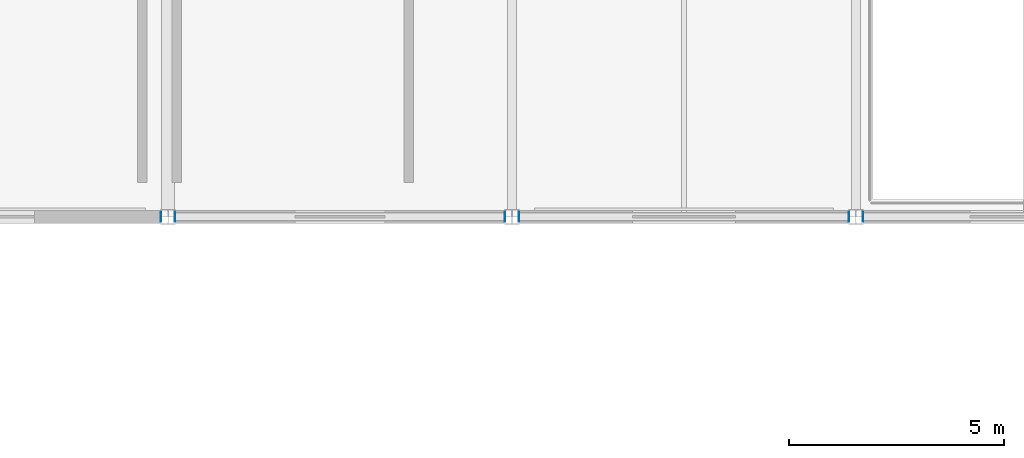
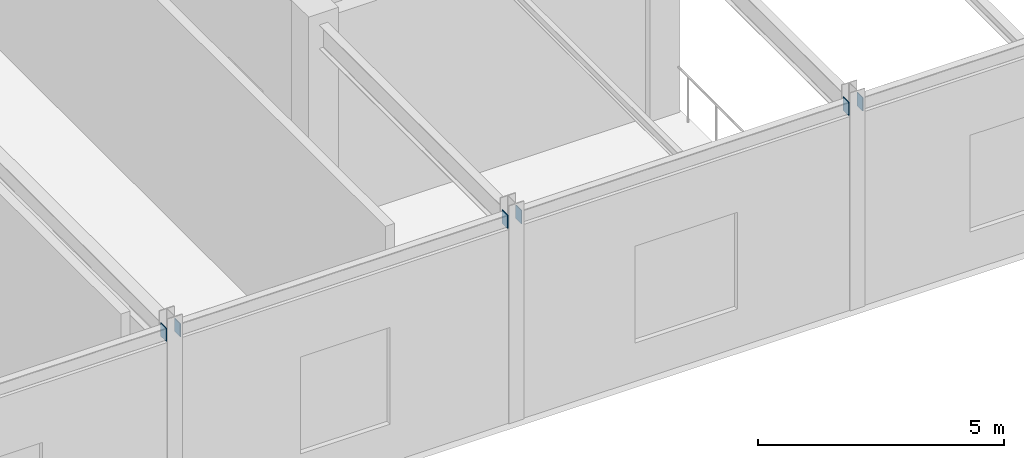
# One storey, part 155 of 184: 6 plates.
"""IFC4 building model written with IfcOpenShell, lengths in metres."""

from ifc_helpers import new_model, si_unit, direction, frame, origin, origin_2d, place, context, subcontext, project, spatial, rectangle, extrude, material, layer, layer_set, type_object, element, save


model = new_model("IFC4")

# Units and contexts
model_context = context("Model", 3, precision=1e-05, world=origin(), true_north=direction((0.0, 1.0)))
body_context = subcontext(model_context, "Body", "Model", "MODEL_VIEW")
ifc_project = project(units=[si_unit("LENGTHUNIT", "METRE"), si_unit("AREAUNIT", "SQUARE_METRE"), si_unit("VOLUMEUNIT", "CUBIC_METRE"), si_unit("PLANEANGLEUNIT", "RADIAN"), si_unit("MASSUNIT", "GRAM", prefix="KILO")], contexts=[model_context])

# Site, building, storey
site_placement = place(None, origin())
site = spatial("IfcSite", under=ifc_project, at=site_placement, CompositionType="ELEMENT")
building_placement = place(site_placement, origin())
building = spatial("IfcBuilding", under=site, at=building_placement, Name="Zhaolan Boulevard Law Courts", CompositionType="ELEMENT")
storey_placement = place(building_placement, frame((0.0, 0.0, 5.39990234375)))
storey = spatial("IfcBuildingStorey", under=building, at=storey_placement, Name="L01", CompositionType="ELEMENT", Elevation=5.39990234375)

# Plates
ifc_material = material(Name="Structural steel Q355B", Category="steel")
ifc_layer = layer(ifc_material, 0.02001953125)
ifc_layer_set = layer_set([ifc_layer])
plate_type = type_object("IfcPlateType", Name="END CAP PLATE 20", PredefinedType="SHEET", material=ifc_layer_set)
for number, where, z_axis, x_axis, name in (
    (1, (131.8369140625, 62.0, 4.802978515625), (0.0, 0.0, 1.0), (1.0, 0.0, 0.0), "Hollow Section End-Cap Plate ECP-0810"),
    (2, (132.1630859375, 62.0, 4.802978515625), (0.0, 0.0, 1.0), (1.0, 0.0, 0.0), "Hollow Section End-Cap Plate ECP-0811"),
    (3, (139.8369140625, 62.0, 4.802978515625), (0.0, 0.0, 1.0), (1.0, 0.0, 0.0), "Hollow Section End-Cap Plate ECP-0812"),
    (4, (140.1630859375, 62.0, 4.802978515625), (0.0, 0.0, 1.0), (1.0, 0.0, 0.0), "Hollow Section End-Cap Plate ECP-0813"),
    (5, (147.8369140625, 62.0, 4.802978515625), (0.0, 0.0, 1.0), (1.0, 0.0, 0.0), "Hollow Section End-Cap Plate ECP-0814"),
    (6, (148.1630859375, 62.0, 4.802978515625), (0.0, 0.0, 1.0), (1.0, 0.0, 0.0), "Hollow Section End-Cap Plate ECP-0815"),
):
    element("IfcPlate", number, at=place(storey_placement, frame(where, z_axis=z_axis, x_axis=x_axis)), inside=storey, type_object=plate_type, Name=name, PredefinedType="SHEET", context=body_context, shape_type="SweptSolid", body=[
        extrude(rectangle(XDim=0.02001953125, YDim=0.22998046875, at=origin_2d()), origin(), (0.0, 0.0, 1.0), 0.330078125),
    ])

save(model, "model.ifc")
